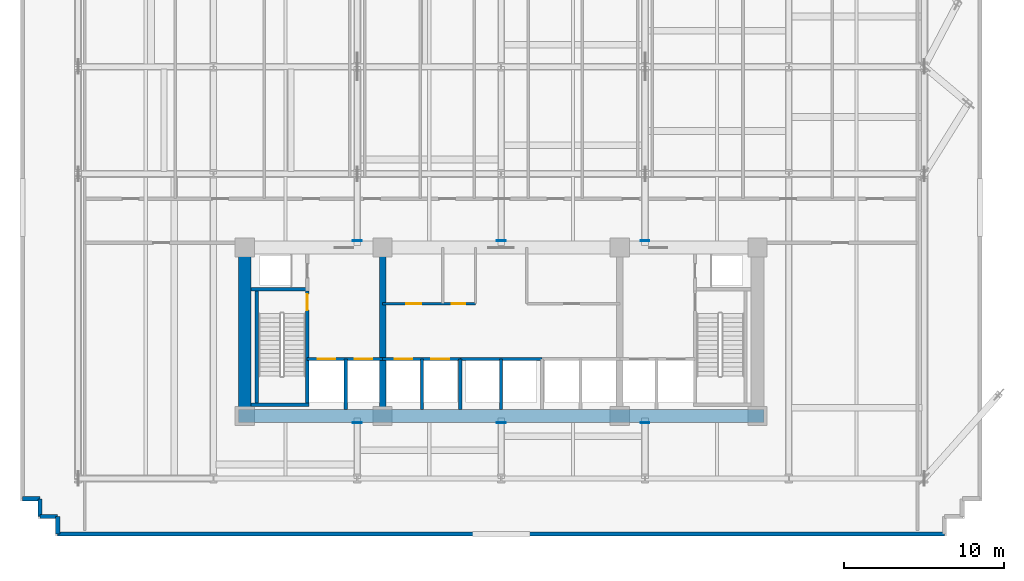
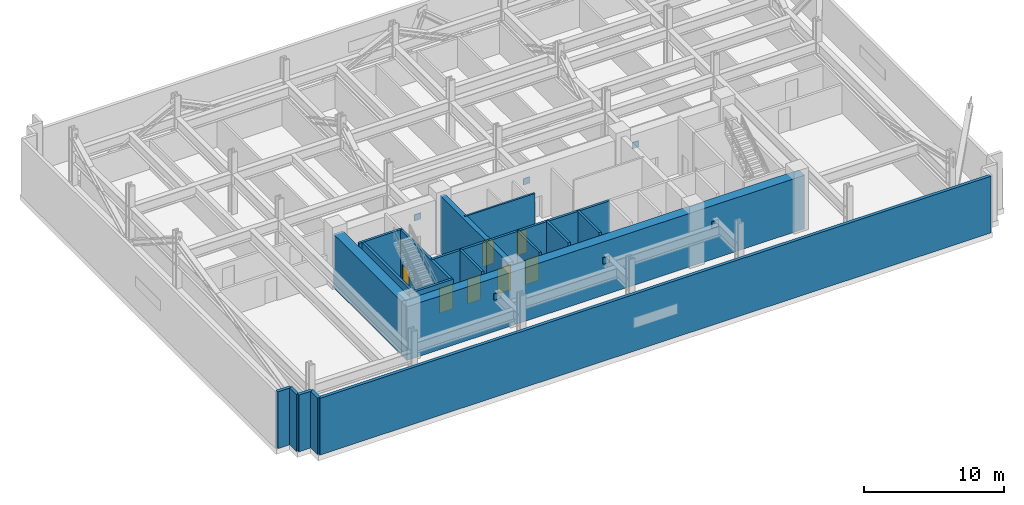
# One storey, part 5 of 9: 20 walls, 7 doors, 6 plates, 7 openings.
"""IFC4 building model written with IfcOpenShell, lengths in metres."""

from ifc_helpers import new_model, si_unit, direction, frame, frame_2d, origin, origin_2d, place, context, subcontext, project, spatial, rectangle, extrude, material, layer, layer_set, type_object, element, fill, save


model = new_model("IFC4")

# Units and contexts
model_context = context("Model", 3, precision=1e-05, world=origin(), true_north=direction((0.0, 1.0)))
body_context = subcontext(model_context, "Body", "Model", "MODEL_VIEW")
ifc_project = project(units=[si_unit("LENGTHUNIT", "METRE"), si_unit("AREAUNIT", "SQUARE_METRE"), si_unit("VOLUMEUNIT", "CUBIC_METRE"), si_unit("PLANEANGLEUNIT", "RADIAN"), si_unit("MASSUNIT", "GRAM", prefix="KILO")], contexts=[model_context])

# Site, building, storey
site_placement = place(None, origin())
site = spatial("IfcSite", under=ifc_project, at=site_placement, CompositionType="ELEMENT")
building_placement = place(site_placement, origin())
building = spatial("IfcBuilding", under=site, at=building_placement, Name="Solmavex Isthmus Hotel", CompositionType="ELEMENT")
storey_placement = place(building_placement, frame((0.0, 0.0, 74.699951171875)))
storey = spatial("IfcBuildingStorey", under=building, at=storey_placement, Name="L20", CompositionType="ELEMENT", Elevation=74.699951171875)

# Plates
ifc_material_1 = material(Name="Steel ASTM A572 Grade 50", Category="steel")
ifc_layer_1 = layer(ifc_material_1, 0.06005859375)
ifc_layer_set_1 = layer_set([ifc_layer_1], Name="Steel ASTM A572 Grade 50")
plate_type = type_object("IfcPlateType", Name="PLT-EMBED-60", PredefinedType="USERDEFINED", material=ifc_layer_set_1)
for number, where, z_axis, x_axis, name in (
    (1, (-8.97607421875, -13.43603515625, 2.77685546875), (0.0, 0.0, 1.0), (1.0, 0.0, 0.0), "Outrigger Strut Core Cast-In Embedment Stiffener Plate 031"),
    (2, (-8.97607421875, -2.06396484375, 2.77685546875), (0.0, 0.0, 1.0), (1.0, 0.0, 0.0), "Outrigger Strut Core Cast-In Embedment Stiffener Plate 032"),
    (3, (0.0, -13.43603515625, 2.77685546875), (0.0, 0.0, 1.0), (1.0, 0.0, 0.0), "Outrigger Strut Core Cast-In Embedment Stiffener Plate 033"),
    (4, (0.0, -2.06396484375, 2.77685546875), (0.0, 0.0, 1.0), (1.0, 0.0, 0.0), "Outrigger Strut Core Cast-In Embedment Stiffener Plate 034"),
    (5, (8.97607421875, -13.43603515625, 2.77685546875), (0.0, 0.0, 1.0), (1.0, 0.0, 0.0), "Outrigger Strut Core Cast-In Embedment Stiffener Plate 035"),
    (6, (8.97607421875, -2.06396484375, 2.77685546875), (0.0, 0.0, 1.0), (1.0, 0.0, 0.0), "Outrigger Strut Core Cast-In Embedment Stiffener Plate 036"),
):
    element("IfcPlate", number, at=place(storey_placement, frame(where, z_axis=z_axis, x_axis=x_axis)), inside=storey, type_object=plate_type, Name=name, ObjectType="STIFFENER_PLATE", PredefinedType="USERDEFINED", context=body_context, shape_type="SweptSolid", body=[
        extrude(rectangle(XDim=0.550048828125, YDim=0.06005859375, at=origin_2d()), origin(), (0.0, 0.0, 1.0), 0.550048828125),
    ])

# Walls
ifc_material_2 = material(Name="Precast Concrete C40/50", Category="concrete")
ifc_layer_2 = layer(ifc_material_2, 0.260009765625)
ifc_layer_set_2 = layer_set([ifc_layer_2], Name="Precast Concrete C40/50")
wall_type_1 = type_object("IfcWallType", Name="EW-CRN-260", PredefinedType="STANDARD", material=ifc_layer_set_2)
wall_1_placement = place(storey_placement, frame((27.669921875, -20.3701171875, 0.0), z_axis=(0.0, 0.0, 1.0), x_axis=(-1.0, 0.0, 0.0)))
element("IfcWall", 7, at=wall_1_placement, inside=storey, type_object=wall_type_1, Name="Plant Acoustic Louvre Enclosure Wall L20-01", PredefinedType="STANDARD", context=body_context, shape_type="SweptSolid", body=[
    extrude(rectangle(XDim=55.33984375, YDim=0.260009765625, at=frame_2d((27.669921875, 0.0))), origin(), (0.0, 0.0, 1.0), 4.949951171875),
])
for number, where, z_axis, x_axis, name in (
    (8, (-27.669921875, -20.3701171875, 0.0), (0.0, 0.0, 1.0), (0.0, 1.0, 0.0), "Plant Acoustic Louvre Enclosure Wall L20-02"),
    (9, (-27.669921875, -19.27001953125, 0.0), (0.0, 0.0, 1.0), (-1.0, 0.0, 0.0), "Plant Acoustic Louvre Enclosure Wall L20-03"),
    (10, (-28.77001953125, -19.27001953125, 0.0), (0.0, 0.0, 1.0), (0.0, 1.0, 0.0), "Plant Acoustic Louvre Enclosure Wall L20-04"),
    (11, (-28.77001953125, -18.169921875, 0.0), (0.0, 0.0, 1.0), (-1.0, 0.0, 0.0), "Plant Acoustic Louvre Enclosure Wall L20-05"),
):
    element("IfcWall", number, at=place(storey_placement, frame(where, z_axis=z_axis, x_axis=x_axis)), inside=storey, type_object=wall_type_1, Name=name, PredefinedType="STANDARD", context=body_context, shape_type="SweptSolid", body=[
        extrude(rectangle(XDim=1.10009765625, YDim=0.260009765625, at=frame_2d((0.550048828125, 0.0))), origin(), (0.0, 0.0, 1.0), 4.949951171875),
    ])

# Wall, openings, doors
ifc_material_3 = material(Name="Gypsum plasterboard lining", Category="gypsum")
ifc_layer_3 = layer(ifc_material_3, 0.14990234375)
ifc_layer_set_3 = layer_set([ifc_layer_3], Name="Gypsum plasterboard lining")
wall_type_2 = type_object("IfcWallType", Name="IW-CORR-150", PredefinedType="PARTITIONING", material=ifc_layer_set_3)
wall_2_placement = place(storey_placement, frame((-7.39990234375, -6.0, 0.0), z_axis=(0.0, 0.0, 1.0), x_axis=(1.0, 0.0, 0.0)))
wall_2 = element("IfcWall", 12, at=wall_2_placement, inside=storey, type_object=wall_type_2, Name="Interior Partition Wall W-L20-BOH-WS", PredefinedType="PARTITIONING", context=body_context, shape_type="SweptSolid", body=[
    extrude(rectangle(XDim=5.7998046875, YDim=0.14990234375, at=frame_2d((2.89990234375, 0.0))), origin(), (0.0, 0.0, 1.0), 4.949951171875),
])
opening_1_placement = place(wall_2_placement, frame((1.47509765625, 0.0, 0.0)))
opening_1 = element("IfcOpeningElement", 13, at=opening_1_placement, cuts=wall_2, Name="Opening ID-C095", PredefinedType="OPENING", context=body_context, shape_type="SweptSolid", body=[
    extrude(rectangle(XDim=0.949951171875, YDim=2.14990234375, at=frame_2d((0.47509765625, 1.074951171875))), frame((0.0, 0.0849609375, 0.0), z_axis=(0.0, -1.0, 0.0), x_axis=(1.0, 0.0, 0.0)), (0.0, 0.0, 1.0), 0.169921875),
])
opening_2_placement = place(wall_2_placement, frame((4.324951171875, 0.0, 0.0)))
opening_2 = element("IfcOpeningElement", 14, at=opening_2_placement, cuts=wall_2, Name="Opening ID-R085", PredefinedType="OPENING", context=body_context, shape_type="SweptSolid", body=[
    extrude(rectangle(XDim=0.85009765625, YDim=2.050048828125, at=frame_2d((0.425048828125, 1.02490234375))), frame((0.0, 0.0849609375, 0.0), z_axis=(0.0, -1.0, 0.0), x_axis=(1.0, 0.0, 0.0)), (0.0, 0.0, 1.0), 0.169921875),
])
ifc_material_4 = material(Name="Steel ASTM A500 Grade C", Category="steel")
door_type_1 = type_object("IfcDoorType", Name="IDR-FD60-0850", OperationType="NOTDEFINED", PredefinedType="DOOR", material=ifc_material_4)
door_1_placement = place(opening_2_placement, frame((0.85009765625, 0.0, 0.0), z_axis=(0.0, 0.0, 1.0), x_axis=(-1.0, 0.0, 0.0)))
door_1 = element("IfcDoor", 15, at=door_1_placement, inside=storey, type_object=door_type_1, Name="Cleaner Closet Door L20", OperationType="SINGLE_SWING_RIGHT", OverallHeight=2.050048828125, OverallWidth=0.85009765625, PredefinedType="DOOR", context=body_context, shape_type="SweptSolid", body=[
    extrude(rectangle(XDim=0.85009765625, YDim=2.050048828125, at=frame_2d((0.425048828125, 1.02490234375))), frame((0.0, 0.02490234375, 0.0), z_axis=(0.0, -1.0, 0.0), x_axis=(1.0, 0.0, 0.0)), (0.0, 0.0, 1.0), 0.050048828125),
])
fill(opening_2, door_1)
ifc_material_5 = material(Name="Hardwood timber", Category="wood")
door_type_2 = type_object("IfcDoorType", Name="IDR-FD60-0950", OperationType="NOTDEFINED", PredefinedType="DOOR", material=ifc_material_5)
door_2_placement = place(opening_1_placement, frame((0.949951171875, 0.0, 0.0), z_axis=(0.0, 0.0, 1.0), x_axis=(-1.0, 0.0, 0.0)))
door_2 = element("IfcDoor", 16, at=door_2_placement, inside=storey, type_object=door_type_2, Name="Housekeeping Store Door L20", OperationType="SINGLE_SWING_LEFT", OverallHeight=2.14990234375, OverallWidth=0.949951171875, PredefinedType="DOOR", context=body_context, shape_type="SweptSolid", body=[
    extrude(rectangle(XDim=0.949951171875, YDim=2.14990234375, at=frame_2d((0.47509765625, 1.074951171875))), frame((0.0, 0.02490234375, 0.0), z_axis=(0.0, -1.0, 0.0), x_axis=(1.0, 0.0, 0.0)), (0.0, 0.0, 1.0), 0.050048828125),
])
fill(opening_1, door_2)

# Walls
ifc_material_6 = material(Name="Concrete C40/50", Category="concrete")
ifc_layer_4 = layer(ifc_material_6, 0.179931640625)
ifc_layer_set_4 = layer_set([ifc_layer_4], Name="Concrete C40/50")
wall_type_3 = type_object("IfcWallType", Name="IW-SHAFT-180", PredefinedType="PARTITIONING", material=ifc_layer_set_4)
for number, where, z_axis, x_axis, name in (
    (17, (-4.949951171875, -12.60009765625, 0.0), (0.0, 0.0, 1.0), (0.0, 1.0, 0.0), "Interior Partition Wall W-L20-SH-PLL-M"),
    (18, (0.0, -12.60009765625, 0.0), (0.0, 0.0, 1.0), (0.0, 1.0, 0.0), "Interior Partition Wall W-L20-SH-PLM-M"),
):
    element("IfcWall", number, at=place(storey_placement, frame(where, z_axis=z_axis, x_axis=x_axis)), inside=storey, type_object=wall_type_3, Name=name, PredefinedType="PARTITIONING", context=body_context, shape_type="SweptSolid", body=[
        extrude(rectangle(XDim=3.150146484375, YDim=0.179931640625, at=frame_2d((1.5751953125, 0.0))), origin(), (0.0, 0.0, 1.0), 4.949951171875),
    ])

# Wall, openings, doors
ifc_layer_5 = layer(ifc_material_6, 0.199951171875)
ifc_layer_set_5 = layer_set([ifc_layer_5], Name="Concrete C40/50")
wall_type_4 = type_object("IfcWallType", Name="IW-SHAFT-200", PredefinedType="PARTITIONING", material=ifc_layer_set_5)
wall_3_placement = place(storey_placement, frame((-12.10009765625, -9.449951171875, 0.0), z_axis=(0.0, 0.0, 1.0), x_axis=(1.0, 0.0, 0.0)))
wall_3 = element("IfcWall", 19, at=wall_3_placement, inside=storey, type_object=wall_type_4, Name="Interior Partition Wall W-L20-FFLW-S", PredefinedType="PARTITIONING", context=body_context, shape_type="SweptSolid", body=[
    extrude(rectangle(XDim=4.7001953125, YDim=0.199951171875, at=frame_2d((2.35009765625, 0.0))), origin(), (0.0, 0.0, 1.0), 4.949951171875),
])
opening_3_placement = place(wall_3_placement, frame((0.64990234375, 0.0, 0.0)))
opening_3 = element("IfcOpeningElement", 20, at=opening_3_placement, cuts=wall_3, Name="Opening LD-FF", PredefinedType="OPENING", context=body_context, shape_type="SweptSolid", body=[
    extrude(rectangle(XDim=1.10009765625, YDim=2.199951171875, at=frame_2d((0.550048828125, 1.10009765625))), frame((0.0, 0.10986328125, 0.0), z_axis=(0.0, -1.0, 0.0), x_axis=(1.0, 0.0, 0.0)), (0.0, 0.0, 1.0), 0.219970703125),
])
opening_4_placement = place(wall_3_placement, frame((2.949951171875, 0.0, 0.0)))
opening_4 = element("IfcOpeningElement", 21, at=opening_4_placement, cuts=wall_3, Name="Opening LD-SV", PredefinedType="OPENING", context=body_context, shape_type="SweptSolid", body=[
    extrude(rectangle(XDim=1.10009765625, YDim=2.199951171875, at=frame_2d((0.550048828125, 1.10009765625))), frame((0.0, 0.10986328125, 0.0), z_axis=(0.0, -1.0, 0.0), x_axis=(1.0, 0.0, 0.0)), (0.0, 0.0, 1.0), 0.219970703125),
])
ifc_material_7 = material(Name="Stainless steel 316", Category="steel")
door_type_3 = type_object("IfcDoorType", Name="LDR-FF-1100", OperationType="NOTDEFINED", PredefinedType="DOOR", material=ifc_material_7)
door_3_placement = place(opening_3_placement, origin())
door_3 = element("IfcDoor", 22, at=door_3_placement, inside=storey, type_object=door_type_3, Name="Lift Landing Door FFL-1 L20", OperationType="SLIDING_TO_LEFT", OverallHeight=2.199951171875, OverallWidth=1.10009765625, PredefinedType="DOOR", context=body_context, shape_type="SweptSolid", body=[
    extrude(rectangle(XDim=1.10009765625, YDim=2.199951171875, at=frame_2d((0.550048828125, 1.10009765625))), frame((0.0, 0.02490234375, 0.0), z_axis=(0.0, -1.0, 0.0), x_axis=(1.0, 0.0, 0.0)), (0.0, 0.0, 1.0), 0.050048828125),
])
fill(opening_3, door_3)
door_type_4 = type_object("IfcDoorType", Name="LDR-SV-1100", OperationType="NOTDEFINED", PredefinedType="DOOR", material=ifc_material_7)
door_4_placement = place(opening_4_placement, origin())
door_4 = element("IfcDoor", 23, at=door_4_placement, inside=storey, type_object=door_type_4, Name="Lift Landing Door SVL-1 L20", OperationType="SLIDING_TO_RIGHT", OverallHeight=2.199951171875, OverallWidth=1.10009765625, PredefinedType="DOOR", context=body_context, shape_type="SweptSolid", body=[
    extrude(rectangle(XDim=1.10009765625, YDim=2.199951171875, at=frame_2d((0.550048828125, 1.10009765625))), frame((0.0, 0.02490234375, 0.0), z_axis=(0.0, -1.0, 0.0), x_axis=(1.0, 0.0, 0.0)), (0.0, 0.0, 1.0), 0.050048828125),
])
fill(opening_4, door_4)

# Wall
wall_4_placement = place(storey_placement, frame((-9.699951171875, -12.60009765625, 0.0), z_axis=(0.0, 0.0, 1.0), x_axis=(0.0, 1.0, 0.0)))
element("IfcWall", 24, at=wall_4_placement, inside=storey, type_object=wall_type_4, Name="Interior Partition Wall W-L20-FFLW-M", PredefinedType="PARTITIONING", context=body_context, shape_type="SweptSolid", body=[
    extrude(rectangle(XDim=3.150146484375, YDim=0.199951171875, at=frame_2d((1.5751953125, 0.0))), origin(), (0.0, 0.0, 1.0), 4.949951171875),
])

# Wall, openings, doors
wall_5_placement = place(storey_placement, frame((-7.39990234375, -9.449951171875, 0.0), z_axis=(0.0, 0.0, 1.0), x_axis=(1.0, 0.0, 0.0)))
wall_5 = element("IfcWall", 25, at=wall_5_placement, inside=storey, type_object=wall_type_4, Name="Interior Partition Wall W-L20-SH-PLL", PredefinedType="PARTITIONING", context=body_context, shape_type="SweptSolid", body=[
    extrude(rectangle(XDim=4.849853515625, YDim=0.199951171875, at=frame_2d((2.4248046875, 0.0))), origin(), (0.0, 0.0, 1.0), 4.949951171875),
])
opening_5_placement = place(wall_5_placement, frame((0.75, 0.0, 0.0)))
opening_5 = element("IfcOpeningElement", 26, at=opening_5_placement, cuts=wall_5, Name="Opening LD-PL", PredefinedType="OPENING", context=body_context, shape_type="SweptSolid", body=[
    extrude(rectangle(XDim=1.10009765625, YDim=2.199951171875, at=frame_2d((0.550048828125, 1.10009765625))), frame((0.0, 0.10986328125, 0.0), z_axis=(0.0, -1.0, 0.0), x_axis=(1.0, 0.0, 0.0)), (0.0, 0.0, 1.0), 0.219970703125),
])
opening_6_placement = place(wall_5_placement, frame((3.050048828125, 0.0, 0.0)))
opening_6 = element("IfcOpeningElement", 27, at=opening_6_placement, cuts=wall_5, Name="Opening LD-PL", PredefinedType="OPENING", context=body_context, shape_type="SweptSolid", body=[
    extrude(rectangle(XDim=1.10009765625, YDim=2.199951171875, at=frame_2d((0.550048828125, 1.10009765625))), frame((0.0, 0.10986328125, 0.0), z_axis=(0.0, -1.0, 0.0), x_axis=(1.0, 0.0, 0.0)), (0.0, 0.0, 1.0), 0.219970703125),
])
door_type_5 = type_object("IfcDoorType", Name="LDR-PL-1100", OperationType="NOTDEFINED", PredefinedType="DOOR", material=ifc_material_7)
door_5_placement = place(opening_5_placement, origin())
door_5 = element("IfcDoor", 28, at=door_5_placement, inside=storey, type_object=door_type_5, Name="Lift Landing Door PLL1 L20", OperationType="SLIDING_TO_LEFT", OverallHeight=2.199951171875, OverallWidth=1.10009765625, PredefinedType="DOOR", context=body_context, shape_type="SweptSolid", body=[
    extrude(rectangle(XDim=1.10009765625, YDim=2.199951171875, at=frame_2d((0.550048828125, 1.10009765625))), frame((0.0, 0.02490234375, 0.0), z_axis=(0.0, -1.0, 0.0), x_axis=(1.0, 0.0, 0.0)), (0.0, 0.0, 1.0), 0.050048828125),
])
fill(opening_5, door_5)
door_6_placement = place(opening_6_placement, origin())
door_6 = element("IfcDoor", 29, at=door_6_placement, inside=storey, type_object=door_type_5, Name="Lift Landing Door PLL2 L20", OperationType="SLIDING_TO_LEFT", OverallHeight=2.199951171875, OverallWidth=1.10009765625, PredefinedType="DOOR", context=body_context, shape_type="SweptSolid", body=[
    extrude(rectangle(XDim=1.10009765625, YDim=2.199951171875, at=frame_2d((0.550048828125, 1.10009765625))), frame((0.0, 0.02490234375, 0.0), z_axis=(0.0, -1.0, 0.0), x_axis=(1.0, 0.0, 0.0)), (0.0, 0.0, 1.0), 0.050048828125),
])
fill(opening_6, door_6)

# Walls
wall_6_placement = place(storey_placement, frame((-2.550048828125, -12.60009765625, 0.0), z_axis=(0.0, 0.0, 1.0), x_axis=(0.0, 1.0, 0.0)))
element("IfcWall", 30, at=wall_6_placement, inside=storey, type_object=wall_type_4, Name="Interior Partition Wall W-L20-SH-PLL-E", PredefinedType="PARTITIONING", context=body_context, shape_type="SweptSolid", body=[
    extrude(rectangle(XDim=3.150146484375, YDim=0.199951171875, at=frame_2d((1.5751953125, 0.0))), origin(), (0.0, 0.0, 1.0), 4.949951171875),
])
wall_7_placement = place(storey_placement, frame((-2.550048828125, -9.449951171875, 0.0), z_axis=(0.0, 0.0, 1.0), x_axis=(1.0, 0.0, 0.0)))
element("IfcWall", 31, at=wall_7_placement, inside=storey, type_object=wall_type_4, Name="Interior Partition Wall W-L20-SH-PLM", PredefinedType="PARTITIONING", context=body_context, shape_type="SweptSolid", body=[
    extrude(rectangle(XDim=5.10009765625, YDim=0.199951171875, at=frame_2d((2.550048828125, 0.0))), origin(), (0.0, 0.0, 1.0), 4.949951171875),
])
ifc_material_8 = material(Name="Concrete C70/85", Category="concrete")
ifc_layer_6 = layer(ifc_material_8, 0.39990234375)
ifc_layer_set_6 = layer_set([ifc_layer_6], Name="Concrete C70/85")
wall_type_5 = type_object("IfcWallType", Name="WALL-CW-400L", PredefinedType="SHEAR", material=ifc_layer_set_6)
wall_8_placement = place(storey_placement, frame((-7.39990234375, -12.60009765625, 0.0), z_axis=(0.0, 0.0, 1.0), x_axis=(0.0, 1.0, 0.0)))
element("IfcWall", 32, at=wall_8_placement, inside=storey, type_object=wall_type_5, Name="Core Cross Shear Wall C1 L20", PredefinedType="SHEAR", context=body_context, shape_type="SweptSolid", body=[
    extrude(rectangle(XDim=9.7001953125, YDim=0.39990234375, at=frame_2d((4.85009765625, 0.0))), origin(), (0.0, 0.0, 1.0), 4.949951171875),
])
ifc_layer_7 = layer(ifc_material_8, 0.800048828125)
ifc_layer_set_7 = layer_set([ifc_layer_7], Name="Concrete C70/85")
wall_type_6 = type_object("IfcWallType", Name="WALL-CW-800", PredefinedType="SHEAR", material=ifc_layer_set_7)
wall_9_placement = place(storey_placement, frame((-16.39990234375, -13.0, 0.0), z_axis=(0.0, 0.0, 1.0), x_axis=(1.0, 0.0, 0.0)))
element("IfcWall", 33, at=wall_9_placement, inside=storey, type_object=wall_type_6, Name="Core Shear Wall South L20", PredefinedType="SHEAR", context=body_context, shape_type="SweptSolid", body=[
    extrude(rectangle(XDim=32.7998046875, YDim=0.800048828125, at=frame_2d((16.39990234375, 0.0))), origin(), (0.0, 0.0, 1.0), 4.670166015625),
])
wall_10_placement = place(storey_placement, frame((-16.0, -12.60009765625, 0.0), z_axis=(0.0, 0.0, 1.0), x_axis=(0.0, 1.0, 0.0)))
element("IfcWall", 34, at=wall_10_placement, inside=storey, type_object=wall_type_6, Name="Core Shear Wall West L20", PredefinedType="SHEAR", context=body_context, shape_type="SweptSolid", body=[
    extrude(rectangle(XDim=9.7001953125, YDim=0.800048828125, at=frame_2d((4.85009765625, 0.0))), origin(), (0.0, 0.0, 1.0), 4.670166015625),
])
ifc_layer_8 = layer(ifc_material_6, 0.199951171875)
ifc_layer_set_8 = layer_set([ifc_layer_8], Name="Concrete C40/50")
wall_type_7 = type_object("IfcWallType", Name="WALL-SW-200", PredefinedType="SOLIDWALL", material=ifc_layer_set_8)
for number, where, z_axis, x_axis, name in (
    (35, (-15.60009765625, -12.300048828125, 0.0), (0.0, 0.0, 1.0), (1.0, 0.0, 0.0), "Stairwell Structural Wall SW-L20-ST1-S"),
    (36, (-15.60009765625, -5.10009765625, 0.0), (0.0, 0.0, 1.0), (1.0, 0.0, 0.0), "Stairwell Structural Wall SW-L20-ST1-N"),
):
    element("IfcWall", number, at=place(storey_placement, frame(where, z_axis=z_axis, x_axis=x_axis)), inside=storey, type_object=wall_type_7, Name=name, PredefinedType="SOLIDWALL", context=body_context, shape_type="SweptSolid", body=[
        extrude(rectangle(XDim=3.60009765625, YDim=0.199951171875, at=frame_2d((1.800048828125, 0.0))), origin(), (0.0, 0.0, 1.0), 4.949951171875),
    ])
wall_11_placement = place(storey_placement, frame((-15.25, -12.199951171875, 0.0), z_axis=(0.0, 0.0, 1.0), x_axis=(0.0, 1.0, 0.0)))
element("IfcWall", 37, at=wall_11_placement, inside=storey, type_object=wall_type_7, Name="Stairwell Structural Wall SW-L20-ST1-W", PredefinedType="SOLIDWALL", context=body_context, shape_type="SweptSolid", body=[
    extrude(rectangle(XDim=7.0, YDim=0.199951171875, at=frame_2d((3.5, 0.0))), origin(), (0.0, 0.0, 1.0), 4.949951171875),
])

# Wall, opening, door
wall_12_placement = place(storey_placement, frame((-12.10009765625, -12.199951171875, 0.0), z_axis=(0.0, 0.0, 1.0), x_axis=(0.0, 1.0, 0.0)))
wall_12 = element("IfcWall", 38, at=wall_12_placement, inside=storey, type_object=wall_type_7, Name="Stairwell Structural Wall SW-L20-ST1-E", PredefinedType="SOLIDWALL", context=body_context, shape_type="SweptSolid", body=[
    extrude(rectangle(XDim=7.0, YDim=0.199951171875, at=frame_2d((3.5, 0.0))), origin(), (0.0, 0.0, 1.0), 4.949951171875),
])
opening_7_placement = place(wall_12_placement, frame((5.800048828125, 0.0, 0.0)))
opening_7 = element("IfcOpeningElement", 39, at=opening_7_placement, cuts=wall_12, Name="Opening ID-F100", PredefinedType="OPENING", context=body_context, shape_type="SweptSolid", body=[
    extrude(rectangle(XDim=1.0, YDim=2.10009765625, at=frame_2d((0.5, 1.050048828125))), frame((0.0, 0.10986328125, 0.0), z_axis=(0.0, -1.0, 0.0), x_axis=(1.0, 0.0, 0.0)), (0.0, 0.0, 1.0), 0.219970703125),
])
door_type_6 = type_object("IfcDoorType", Name="IDR-FD90-1000", OperationType="NOTDEFINED", PredefinedType="DOOR", material=ifc_material_4)
door_7_placement = place(opening_7_placement, frame((1.0, 0.0, 0.0), z_axis=(0.0, 0.0, 1.0), x_axis=(-1.0, 0.0, 0.0)))
door_7 = element("IfcDoor", 40, at=door_7_placement, inside=storey, type_object=door_type_6, Name="Stair ST-1 Fire Door L20", OperationType="SINGLE_SWING_LEFT", OverallHeight=2.10009765625, OverallWidth=1.0, PredefinedType="DOOR", context=body_context, shape_type="SweptSolid", body=[
    extrude(rectangle(XDim=1.0, YDim=2.10009765625, at=frame_2d((0.5, 1.050048828125))), frame((0.0, 0.02490234375, 0.0), z_axis=(0.0, -1.0, 0.0), x_axis=(1.0, 0.0, 0.0)), (0.0, 0.0, 1.0), 0.050048828125),
])
fill(opening_7, door_7)

save(model, "model.ifc")
